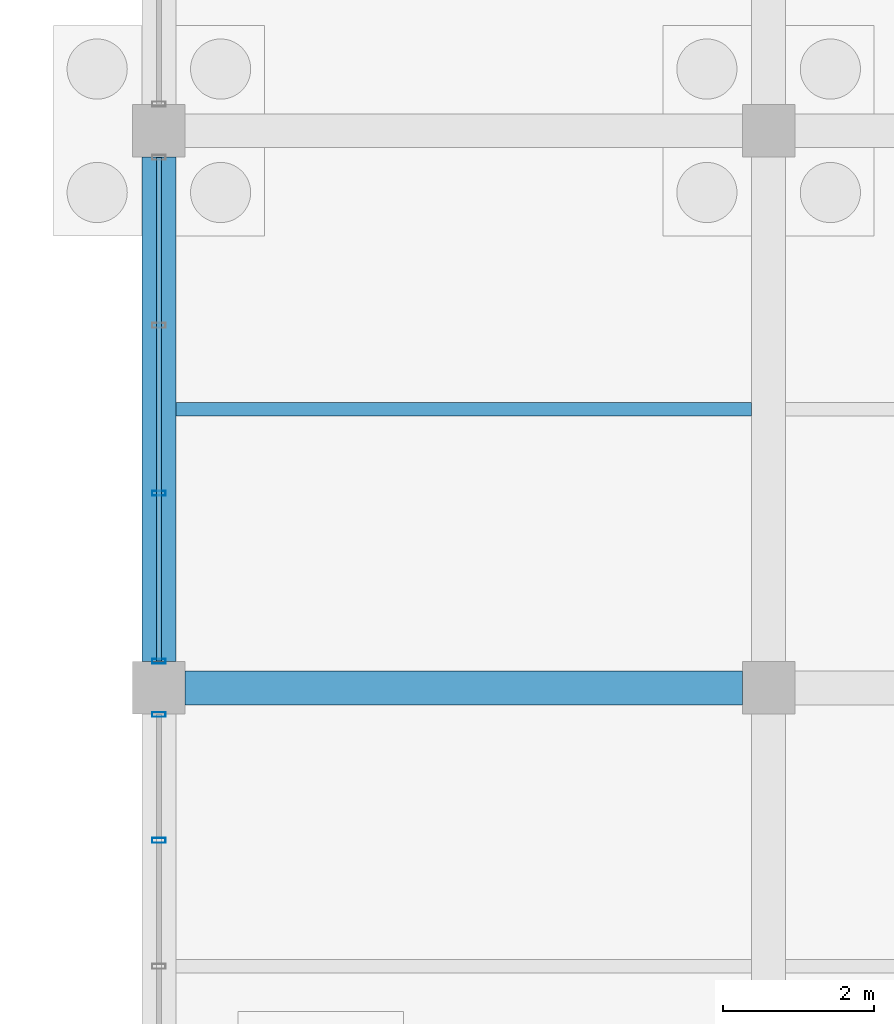
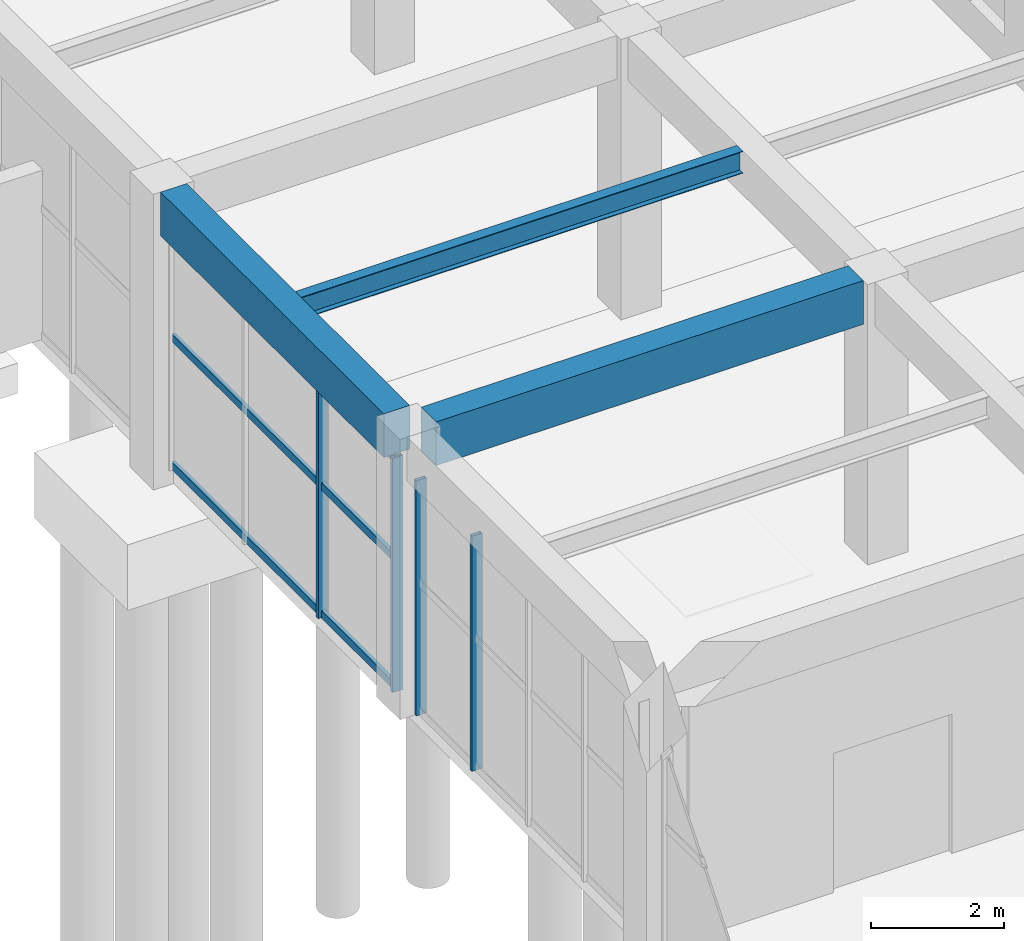
# One storey, part 53 of 140: 7 members, 3 beams, 2 elements without a shape of their own.
"""IFC4 building model written with IfcOpenShell, lengths in metres."""

from ifc_helpers import new_model, si_unit, direction, frame, origin, origin_2d, place, context, subcontext, project, spatial, rectangle, hollow_rectangle, i_section, extrude, material, material_profile, profile_set, type_object, element, aggregate, save


model = new_model("IFC4")

# Units and contexts
model_context = context("Model", 3, precision=1e-05, world=origin(), true_north=direction((0.0, 1.0)))
body_context = subcontext(model_context, "Body", "Model", "MODEL_VIEW")
ifc_project = project(units=[si_unit("LENGTHUNIT", "METRE"), si_unit("AREAUNIT", "SQUARE_METRE"), si_unit("VOLUMEUNIT", "CUBIC_METRE"), si_unit("PLANEANGLEUNIT", "RADIAN"), si_unit("MASSUNIT", "GRAM", prefix="KILO")], contexts=[model_context])

# Site, building, storey
site_placement = place(None, origin())
site = spatial("IfcSite", under=ifc_project, at=site_placement, CompositionType="ELEMENT")
building_placement = place(site_placement, origin())
building = spatial("IfcBuilding", under=site, at=building_placement, Name="Cimatlan Art Gallery", CompositionType="ELEMENT")
storey_placement = place(building_placement, origin())
storey = spatial("IfcBuildingStorey", under=building, at=storey_placement, Name="L00", CompositionType="ELEMENT", Elevation=0.0)

# Beams
ifc_material_1 = material(Name="Concrete C40/50", Category="concrete")
ifc_material_profile_1 = material_profile(ifc_material_1, rectangle(XDim=0.449951171875, YDim=0.800048828125, at=origin_2d()), Name="RC450X800")
ifc_profile_set_1 = profile_set([ifc_material_profile_1], Name="Concrete C40/50")
beam_type_1 = type_object("IfcBeamType", Name="BM-RC-450X800", PredefinedType="BEAM", material=ifc_profile_set_1)
beam_1_placement = place(storey_placement, frame((115.39990234375, 61.25, 4.735107421875), z_axis=(0.0, 1.0, 0.0), x_axis=(-1.0, 0.0, 0.0)))
element("IfcBeam", 1, at=beam_1_placement, inside=storey, type_object=beam_type_1, Name="BM-Y-L00-14-08", PredefinedType="BEAM", context=body_context, shape_type="SweptSolid", body=[
    extrude(rectangle(XDim=0.449951171875, YDim=0.800048828125, at=origin_2d()), origin(), (0.0, 0.0, 1.0), 6.699951171875),
])
beam_2_placement = place(storey_placement, frame((115.75, 60.89990234375, 4.735107421875), z_axis=(1.0, 0.0, 0.0), x_axis=(0.0, 1.0, 0.0)))
element("IfcBeam", 2, at=beam_2_placement, inside=storey, type_object=beam_type_1, Name="BM-X-L00-14-08", PredefinedType="BEAM", context=body_context, shape_type="SweptSolid", body=[
    extrude(rectangle(XDim=0.449951171875, YDim=0.800048828125, at=origin_2d()), origin(), (0.0, 0.0, 1.0), 7.39990234375),
])
ifc_material_2 = material(Name="Steel ASTM A992 Grade 50", Category="steel")
ifc_material_profile_2 = material_profile(ifc_material_2, i_section(OverallWidth=0.177978515625, OverallDepth=0.406982421875, WebThickness=0.0078125, FlangeThickness=0.0126953125, at=origin_2d()), Name="W16X40")
ifc_profile_set_2 = profile_set([ifc_material_profile_2], Name="Steel ASTM A992 Grade 50")
beam_type_2 = type_object("IfcBeamType", Name="BM-STL-W16X40", PredefinedType="JOIST", material=ifc_profile_set_2)
beam_3_placement = place(storey_placement, frame((115.625, 64.60009765625, 4.931396484375), z_axis=(1.0, 0.0, 0.0), x_axis=(0.0, 1.0, 0.0)))
element("IfcBeam", 3, at=beam_3_placement, inside=storey, type_object=beam_type_2, Name="JST-L00-14-08", PredefinedType="JOIST", context=body_context, shape_type="SweptSolid", body=[
    extrude(i_section(OverallWidth=0.177978515625, OverallDepth=0.406982421875, WebThickness=0.0078125, FlangeThickness=0.0126953125, at=origin_2d()), origin(), (0.0, 0.0, 1.0), 7.64990234375),
])

# Curtain wall, members
ifc_material_3 = material(Name="Anodised bronze unitised curtain wall")
curtain_wall_type_1 = type_object("IfcCurtainWallType", Name="CW-V-06692X04305-B4", PredefinedType="NOTDEFINED", material=ifc_material_3)
curtain_wall_1_placement = place(storey_placement, origin())
curtain_wall_1 = element("IfcCurtainWall", 4, at=curtain_wall_1_placement, inside=storey, type_object=curtain_wall_type_1, Name="CW-L00-14-07-W", PredefinedType="NOTDEFINED")
ifc_material_4 = material(Name="Anodised bronze aluminium 6063-T6", Category="aluminium")
ifc_material_profile_3 = material_profile(ifc_material_4, hollow_rectangle(XDim=0.06494140625, YDim=0.179931640625, WallThickness=0.00390625, at=origin_2d()), Name="ALU65X180X4")
ifc_profile_set_3 = profile_set([ifc_material_profile_3], Name="Anodised bronze aluminium 6063-T6")
member_type_1 = type_object("IfcMemberType", Name="CW-MUL-180", PredefinedType="MULLION", material=ifc_profile_set_3)
member_1_placement = place(storey_placement, frame((115.39990234375, 58.873046875, 0.0), z_axis=(0.0, 0.0, 1.0), x_axis=(0.0, 1.0, 0.0)))
member_1 = element("IfcMember", 5, at=member_1_placement, type_object=member_type_1, Name="CW-L00-14-07-W-M4", PredefinedType="MULLION", context=body_context, shape_type="SweptSolid", body=[
    extrude(hollow_rectangle(XDim=0.06494140625, YDim=0.179931640625, WallThickness=0.00390625, at=origin_2d()), origin(), (0.0, 0.0, 1.0), 4.304931640625),
])
member_2_placement = place(storey_placement, frame((115.39990234375, 60.5458984375, 0.0), z_axis=(0.0, 0.0, 1.0), x_axis=(0.0, 1.0, 0.0)))
member_2 = element("IfcMember", 6, at=member_2_placement, type_object=member_type_1, Name="CW-L00-14-07-W-M5", PredefinedType="MULLION", context=body_context, shape_type="SweptSolid", body=[
    extrude(hollow_rectangle(XDim=0.06494140625, YDim=0.179931640625, WallThickness=0.00390625, at=origin_2d()), origin(), (0.0, 0.0, 1.0), 4.304931640625),
])
aggregate(curtain_wall_1, [member_1, member_2])

curtain_wall_type_2 = type_object("IfcCurtainWallType", Name="CW-V-06692X04290-B3", PredefinedType="NOTDEFINED", material=ifc_material_3)
curtain_wall_2_placement = place(storey_placement, origin())
curtain_wall_2 = element("IfcCurtainWall", 7, at=curtain_wall_2_placement, inside=storey, type_object=curtain_wall_type_2, Name="CW-L00-14-08-W", PredefinedType="NOTDEFINED")
member_3_placement = place(storey_placement, frame((115.39990234375, 61.25390625, 0.0), z_axis=(0.0, 0.0, 1.0), x_axis=(0.0, 1.0, 0.0)))
member_3 = element("IfcMember", 8, at=member_3_placement, type_object=member_type_1, Name="CW-L00-14-08-W-M1", PredefinedType="MULLION", context=body_context, shape_type="SweptSolid", body=[
    extrude(hollow_rectangle(XDim=0.06494140625, YDim=0.179931640625, WallThickness=0.00390625, at=origin_2d()), origin(), (0.0, 0.0, 1.0), 4.2900390625),
])
member_4_placement = place(storey_placement, frame((115.39990234375, 63.484619140625, 0.0), z_axis=(0.0, 0.0, 1.0), x_axis=(0.0, 1.0, 0.0)))
member_4 = element("IfcMember", 9, at=member_4_placement, type_object=member_type_1, Name="CW-L00-14-08-W-M2", PredefinedType="MULLION", context=body_context, shape_type="SweptSolid", body=[
    extrude(hollow_rectangle(XDim=0.06494140625, YDim=0.179931640625, WallThickness=0.00390625, at=origin_2d()), origin(), (0.0, 0.0, 1.0), 4.2900390625),
])
ifc_material_profile_4 = material_profile(ifc_material_4, hollow_rectangle(XDim=0.06494140625, YDim=0.139892578125, WallThickness=0.00390625, at=origin_2d()), Name="ALU65X140X4")
ifc_profile_set_4 = profile_set([ifc_material_profile_4], Name="Anodised bronze aluminium 6063-T6")
member_type_2 = type_object("IfcMemberType", Name="CW-TRN-140", PredefinedType="USERDEFINED", material=ifc_profile_set_4)
member_5_placement = place(storey_placement, frame((115.39990234375, 61.25390625, 0.06005859375), z_axis=(0.0, 1.0, 0.0), x_axis=(-1.0, 0.0, 0.0)))
member_5 = element("IfcMember", 10, at=member_5_placement, type_object=member_type_2, Name="CW-L00-14-08-W-T1", ObjectType="TRANSOM", PredefinedType="USERDEFINED", context=body_context, shape_type="SweptSolid", body=[
    extrude(hollow_rectangle(XDim=0.06494140625, YDim=0.139892578125, WallThickness=0.00390625, at=origin_2d()), origin(), (0.0, 0.0, 1.0), 6.692138671875),
])
member_6_placement = place(storey_placement, frame((115.39990234375, 61.25390625, 2.40234375), z_axis=(0.0, 1.0, 0.0), x_axis=(-1.0, 0.0, 0.0)))
member_6 = element("IfcMember", 11, at=member_6_placement, type_object=member_type_2, Name="CW-L00-14-08-W-T2", ObjectType="TRANSOM", PredefinedType="USERDEFINED", context=body_context, shape_type="SweptSolid", body=[
    extrude(hollow_rectangle(XDim=0.06494140625, YDim=0.139892578125, WallThickness=0.00390625, at=origin_2d()), origin(), (0.0, 0.0, 1.0), 6.692138671875),
])
member_7_placement = place(storey_placement, frame((115.39990234375, 61.25390625, 4.22998046875), z_axis=(0.0, 1.0, 0.0), x_axis=(-1.0, 0.0, 0.0)))
member_7 = element("IfcMember", 12, at=member_7_placement, type_object=member_type_2, Name="CW-L00-14-08-W-T3", ObjectType="TRANSOM", PredefinedType="USERDEFINED", context=body_context, shape_type="SweptSolid", body=[
    extrude(hollow_rectangle(XDim=0.06494140625, YDim=0.139892578125, WallThickness=0.00390625, at=origin_2d()), origin(), (0.0, 0.0, 1.0), 6.692138671875),
])
aggregate(curtain_wall_2, [member_3, member_4, member_5, member_6, member_7])

save(model, "model.ifc")
